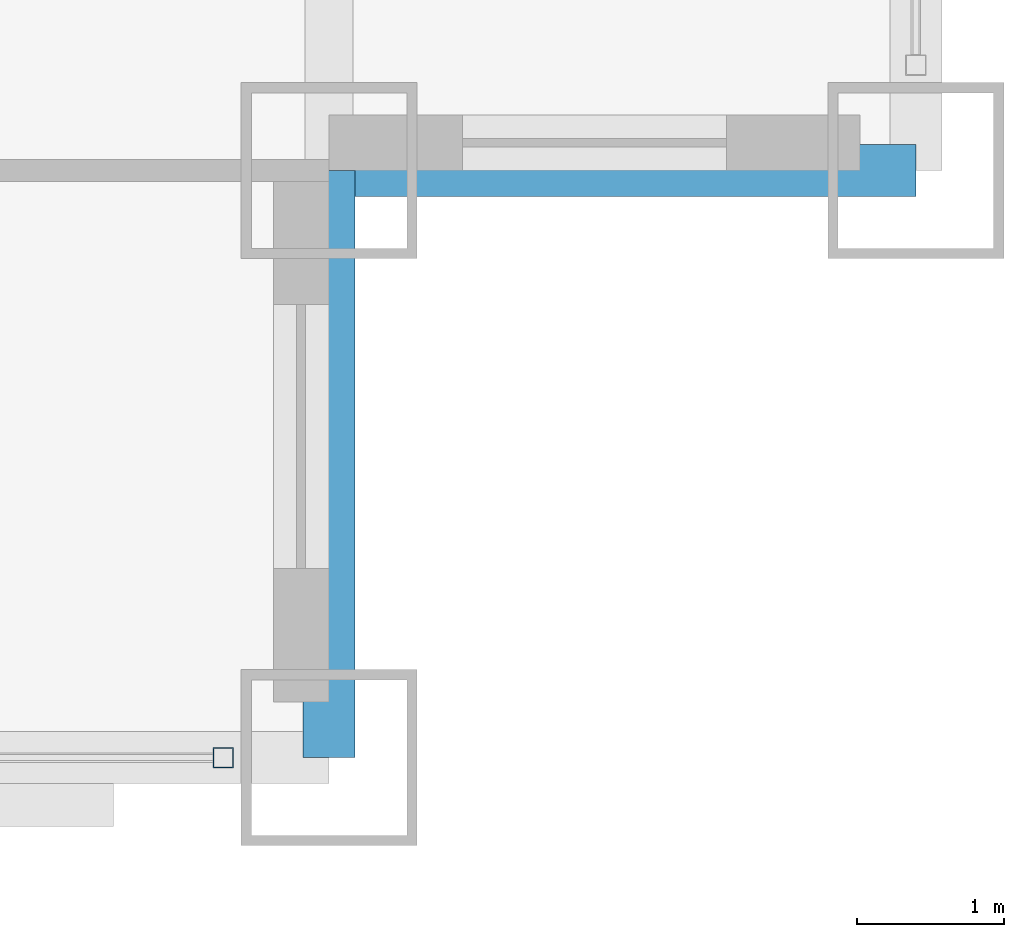
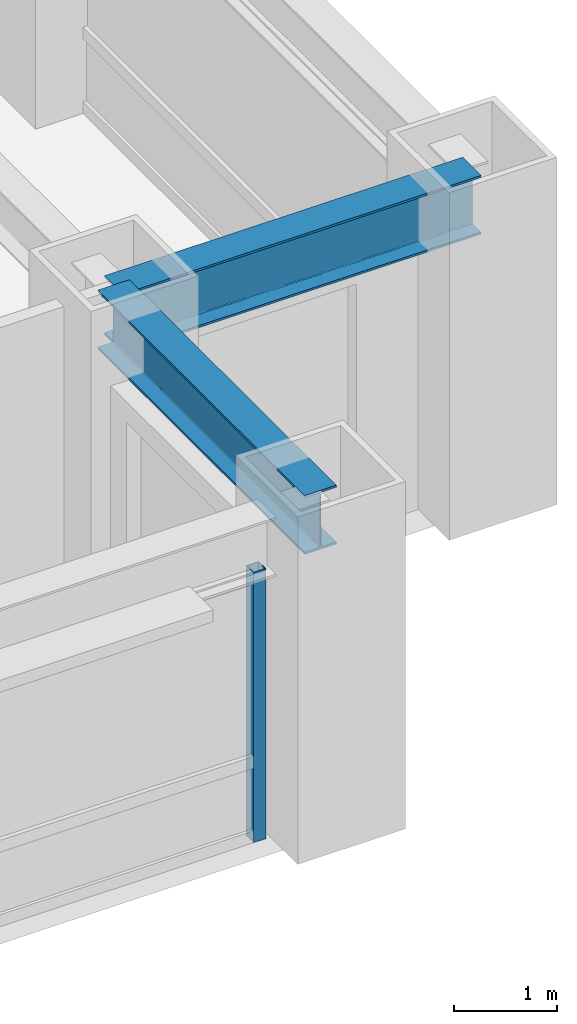
# One storey, part 6 of 32: 2 beams, 1 member, 1 element without a shape of its own.
"""IFC4 building model written with IfcOpenShell, lengths in metres."""

from ifc_helpers import new_model, si_unit, direction, frame, origin, origin_2d, place, context, subcontext, project, spatial, hollow_rectangle, i_section, extrude, source, transform, mapped, material, material_profile, profile_set, type_object, element, aggregate, save


model = new_model("IFC4")

# Units and contexts
model_context = context("Model", 3, precision=1e-05, world=origin(), true_north=direction((0.0, 1.0)))
body_context = subcontext(model_context, "Body", "Model", "MODEL_VIEW")
ifc_project = project(units=[si_unit("LENGTHUNIT", "METRE"), si_unit("AREAUNIT", "SQUARE_METRE"), si_unit("VOLUMEUNIT", "CUBIC_METRE"), si_unit("PLANEANGLEUNIT", "RADIAN"), si_unit("MASSUNIT", "GRAM", prefix="KILO")], contexts=[model_context])

# Site, building, storey
site_placement = place(None, origin())
site = spatial("IfcSite", under=ifc_project, at=site_placement, CompositionType="ELEMENT")
building_placement = place(site_placement, origin())
building = spatial("IfcBuilding", under=site, at=building_placement, Name="Khorayat Bourse Tower", CompositionType="ELEMENT")
storey_placement = place(building_placement, frame((0.0, 0.0, 132.39990234375)))
storey = spatial("IfcBuildingStorey", under=building, at=storey_placement, Name="L30", CompositionType="ELEMENT", Elevation=132.39990234375)

# Beams
ifc_material_1 = material(Name="Steel ASTM A992 Grade 50", Category="steel")
ifc_material_profile_1 = material_profile(ifc_material_1, i_section(OverallWidth=0.35498046875, OverallDepth=0.695068359375, WebThickness=0.015380859375, FlangeThickness=0.02490234375, FilletRadius=0.01806640625, at=origin_2d()), Name="W690X217")
ifc_profile_set_1 = profile_set([ifc_material_profile_1], Name="Steel ASTM A992 Grade 50")
beam_type = type_object("IfcBeamType", Name="BM-SPAN-690", PredefinedType="SPANDREL", material=ifc_profile_set_1)
shared_shape_1 = source(origin(), body_context, "Body", "SweptSolid", [
    extrude(i_section(OverallWidth=0.35498046875, OverallDepth=0.695068359375, WebThickness=0.015380859375, FlangeThickness=0.02490234375, FilletRadius=0.01806640625, at=origin_2d()), origin(), (0.0, 0.0, 1.0), 4.0),
])
for number, where, z_axis, x_axis, name in (
    (1, (28.0, -32.0, 3.49267578125), (0.0, 1.0, 0.0), (-1.0, 0.0, 0.0), "L30 BM-SPAN-690 BM-L30-SPN-032"),
    (2, (28.0, -28.0, 3.49267578125), (1.0, 0.0, 0.0), (0.0, 1.0, 0.0), "L30 BM-SPAN-690 BM-L30-SPN-033"),
):
    element("IfcBeam", number, at=place(storey_placement, frame(where, z_axis=z_axis, x_axis=x_axis)), inside=storey, type_object=beam_type, Name=name, PredefinedType="SPANDREL", context=body_context, shape_type="MappedRepresentation", body=[
        mapped(shared_shape_1, transform((0.0, 0.0, 0.0), scale=1.0)),
    ])

# Curtain wall, member
ifc_material_2 = material(Name="Aluminium EN AW-6063 T6", Category="aluminium")
curtain_wall_type = type_object("IfcCurtainWallType", Name="CW-SYS-02", PredefinedType="NOTDEFINED", material=ifc_material_2)
curtain_wall_placement = place(storey_placement, origin())
curtain_wall = element("IfcCurtainWall", 3, at=curtain_wall_placement, inside=storey, type_object=curtain_wall_type, Name="L30 Curtain Wall CW-L30-S1", PredefinedType="NOTDEFINED")
ifc_material_profile_2 = material_profile(ifc_material_2, hollow_rectangle(XDim=0.139892578125, YDim=0.139892578125, WallThickness=0.006103515625, at=origin_2d()), Name="ALU 140x140x6")
ifc_profile_set_2 = profile_set([ifc_material_profile_2], Name="Aluminium EN AW-6063 T6")
member_type = type_object("IfcMemberType", Name="CWM-VERT-140", PredefinedType="MULLION", material=ifc_profile_set_2)
shared_shape_2 = source(origin(), body_context, "Body", "SweptSolid", [
    extrude(hollow_rectangle(XDim=0.139892578125, YDim=0.139892578125, WallThickness=0.006103515625, at=origin_2d()), origin(), (0.0, 0.0, 1.0), 3.190185546875),
])
member_placement = place(storey_placement, frame((27.280029296875, -32.0, 0.0), z_axis=(0.0, 0.0, 1.0), x_axis=(0.0, 1.0, 0.0)))
member = element("IfcMember", 4, at=member_placement, type_object=member_type, Name="CW-L30-S1 Vertical Mullion 3", PredefinedType="MULLION", context=body_context, shape_type="MappedRepresentation", body=[
    mapped(shared_shape_2, transform((0.0, 0.0, 0.0), scale=1.0)),
])
aggregate(curtain_wall, [member])

save(model, "model.ifc")
